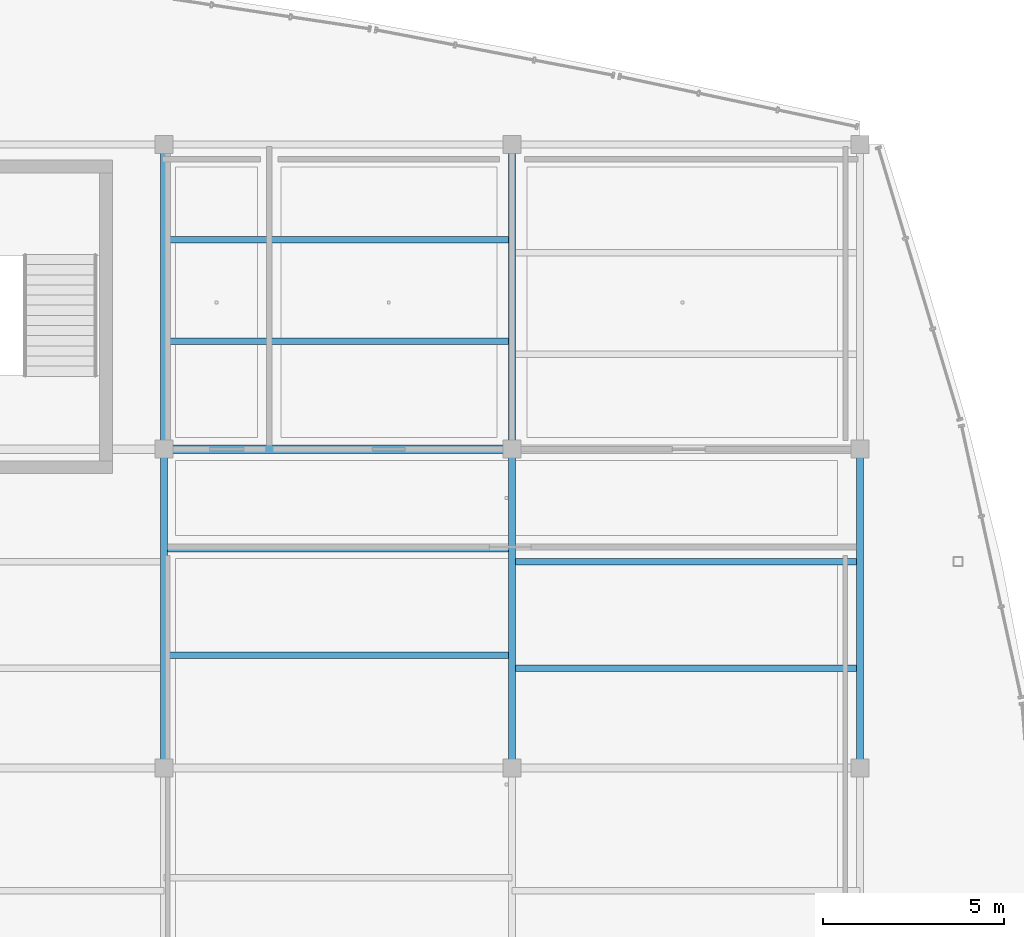
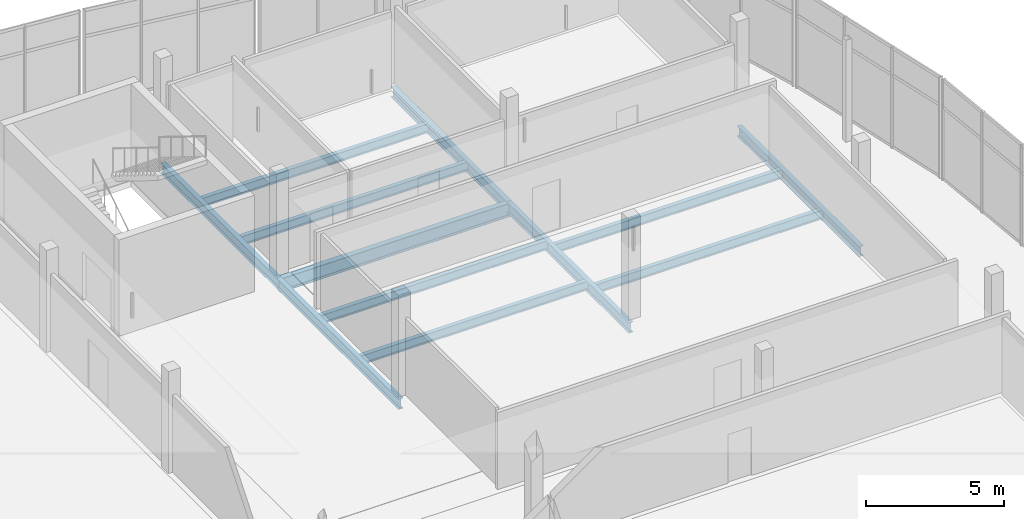
# One storey, part 74 of 114: 12 beams.
"""IFC4 building model written with IfcOpenShell, lengths in metres."""

from ifc_helpers import new_model, si_unit, direction, frame, origin, origin_2d, place, context, subcontext, project, spatial, i_section, extrude, material, material_profile, profile_set, type_object, element, save


model = new_model("IFC4")

# Units and contexts
model_context = context("Model", 3, precision=1e-05, world=origin(), true_north=direction((0.0, 1.0)))
body_context = subcontext(model_context, "Body", "Model", "MODEL_VIEW")
ifc_project = project(units=[si_unit("LENGTHUNIT", "METRE"), si_unit("AREAUNIT", "SQUARE_METRE"), si_unit("VOLUMEUNIT", "CUBIC_METRE"), si_unit("PLANEANGLEUNIT", "RADIAN"), si_unit("MASSUNIT", "GRAM", prefix="KILO")], contexts=[model_context])

# Site, building, storey
site_placement = place(None, origin())
site = spatial("IfcSite", under=ifc_project, at=site_placement, CompositionType="ELEMENT")
building_placement = place(site_placement, origin())
building = spatial("IfcBuilding", under=site, at=building_placement, Name="Chalmorin Arch Market", CompositionType="ELEMENT")
storey_placement = place(building_placement, frame((0.0, 0.0, 9.60009765625)))
storey = spatial("IfcBuildingStorey", under=building, at=storey_placement, Name="L02", CompositionType="ELEMENT", Elevation=9.60009765625)

# Beams
ifc_material = material(Name="Steel A992 Grade 50", Category="steel")
ifc_material_profile_1 = material_profile(ifc_material, i_section(OverallWidth=0.193115234375, OverallDepth=0.466064453125, WebThickness=0.011474609375, FlangeThickness=0.01904296875, FilletRadius=0.02001953125, at=origin_2d()), Name="W18X65")
ifc_profile_set_1 = profile_set([ifc_material_profile_1], Name="Steel A992 Grade 50")
beam_type_1 = type_object("IfcBeamType", Name="FloorSteelBeam-W18X65", PredefinedType="BEAM", material=ifc_profile_set_1)
beam_1_placement = place(storey_placement, frame((96.0, 100.800048828125, -0.51513671875), z_axis=(0.0, 1.0, 0.0), x_axis=(-1.0, 0.0, 0.0)))
element("IfcBeam", 1, at=beam_1_placement, inside=storey, type_object=beam_type_1, Name="BM-W18A-1276", PredefinedType="BEAM", context=body_context, shape_type="SweptSolid", body=[
    extrude(i_section(OverallWidth=0.193115234375, OverallDepth=0.466064453125, WebThickness=0.011474609375, FlangeThickness=0.01904296875, FilletRadius=0.02001953125, at=origin_2d()), origin(), (0.0, 0.0, 1.0), 8.800048828125),
])
beam_2_placement = place(storey_placement, frame((96.0, 109.60009765625, -0.51513671875), z_axis=(0.0, 1.0, 0.0), x_axis=(-1.0, 0.0, 0.0)))
element("IfcBeam", 2, at=beam_2_placement, inside=storey, type_object=beam_type_1, Name="BM-W18A-1278", PredefinedType="BEAM", context=body_context, shape_type="SweptSolid", body=[
    extrude(i_section(OverallWidth=0.193115234375, OverallDepth=0.466064453125, WebThickness=0.011474609375, FlangeThickness=0.01904296875, FilletRadius=0.02001953125, at=origin_2d()), origin(), (0.0, 0.0, 1.0), 8.39990234375),
])
beam_3_placement = place(storey_placement, frame((105.60009765625, 100.800048828125, -0.51513671875), z_axis=(0.0, 1.0, 0.0), x_axis=(-1.0, 0.0, 0.0)))
element("IfcBeam", 3, at=beam_3_placement, inside=storey, type_object=beam_type_1, Name="BM-W18A-1287", PredefinedType="BEAM", context=body_context, shape_type="SweptSolid", body=[
    extrude(i_section(OverallWidth=0.193115234375, OverallDepth=0.466064453125, WebThickness=0.011474609375, FlangeThickness=0.01904296875, FilletRadius=0.02001953125, at=origin_2d()), origin(), (0.0, 0.0, 1.0), 8.800048828125),
])
beam_4_placement = place(storey_placement, frame((105.60009765625, 109.60009765625, -0.51513671875), z_axis=(0.0, 1.0, 0.0), x_axis=(-1.0, 0.0, 0.0)))
element("IfcBeam", 4, at=beam_4_placement, inside=storey, type_object=beam_type_1, Name="BM-W18A-1289", PredefinedType="BEAM", context=body_context, shape_type="SweptSolid", body=[
    extrude(i_section(OverallWidth=0.193115234375, OverallDepth=0.466064453125, WebThickness=0.011474609375, FlangeThickness=0.01904296875, FilletRadius=0.02001953125, at=origin_2d()), origin(), (0.0, 0.0, 1.0), 8.39990234375),
])
ifc_material_profile_2 = material_profile(ifc_material, i_section(OverallWidth=0.19091796875, OverallDepth=0.45703125, WebThickness=0.009033203125, FlangeThickness=0.014404296875, FilletRadius=0.02001953125, at=origin_2d()), Name="W18X50")
ifc_profile_set_2 = profile_set([ifc_material_profile_2], Name="Steel A992 Grade 50")
beam_type_2 = type_object("IfcBeamType", Name="PerimeterSpandrelBeam-W18X50", PredefinedType="SPANDREL", material=ifc_profile_set_2)
beam_5_placement = place(storey_placement, frame((115.199951171875, 100.800048828125, -0.510498046875), z_axis=(0.0, 1.0, 0.0), x_axis=(-1.0, 0.0, 0.0)))
element("IfcBeam", 5, at=beam_5_placement, inside=storey, type_object=beam_type_2, Name="SP-W18-1298", PredefinedType="SPANDREL", context=body_context, shape_type="SweptSolid", body=[
    extrude(i_section(OverallWidth=0.19091796875, OverallDepth=0.45703125, WebThickness=0.009033203125, FlangeThickness=0.014404296875, FilletRadius=0.02001953125, at=origin_2d()), origin(), (0.0, 0.0, 1.0), 8.800048828125),
])
ifc_material_profile_3 = material_profile(ifc_material, i_section(OverallWidth=0.22802734375, OverallDepth=0.60791015625, WebThickness=0.01123046875, FlangeThickness=0.017333984375, FilletRadius=0.02392578125, at=origin_2d()), Name="W24X76")
ifc_profile_set_3 = profile_set([ifc_material_profile_3], Name="Steel A992 Grade 50")
beam_type_3 = type_object("IfcBeamType", Name="PrimarySteelGirder-W24X76", PredefinedType="BEAM", material=ifc_profile_set_3)
beam_6_placement = place(storey_placement, frame((96.0, 109.60009765625, -0.586181640625), z_axis=(1.0, 0.0, 0.0), x_axis=(0.0, 1.0, 0.0)))
element("IfcBeam", 6, at=beam_6_placement, inside=storey, type_object=beam_type_3, Name="BG-W24B-1286", PredefinedType="BEAM", context=body_context, shape_type="SweptSolid", body=[
    extrude(i_section(OverallWidth=0.22802734375, OverallDepth=0.60791015625, WebThickness=0.01123046875, FlangeThickness=0.017333984375, FilletRadius=0.02392578125, at=origin_2d()), origin(), (0.0, 0.0, 1.0), 9.60009765625),
])
ifc_material_profile_4 = material_profile(ifc_material, i_section(OverallWidth=0.177978515625, OverallDepth=0.403076171875, WebThickness=0.007568359375, FlangeThickness=0.010986328125, FilletRadius=0.01806640625, at=origin_2d()), Name="W16X36")
ifc_profile_set_4 = profile_set([ifc_material_profile_4], Name="Steel A992 Grade 50")
beam_type_4 = type_object("IfcBeamType", Name="SecondaryFloorJoist-W16X36", PredefinedType="JOIST", material=ifc_profile_set_4)
for number, where, z_axis, x_axis, name in (
    (7, (96.0, 103.913330078125, -0.483642578125), (1.0, 0.0, 0.0), (0.0, 1.0, 0.0), "BJ-W16B-1349"),
    (8, (96.0, 106.8466796875, -0.483642578125), (1.0, 0.0, 0.0), (0.0, 1.0, 0.0), "BJ-W16B-1350"),
    (9, (96.0, 112.580078125, -0.483642578125), (1.0, 0.0, 0.0), (0.0, 1.0, 0.0), "BJ-W16B-1351"),
    (10, (96.0, 115.3798828125, -0.483642578125), (1.0, 0.0, 0.0), (0.0, 1.0, 0.0), "BJ-W16B-1352"),
):
    element("IfcBeam", number, at=place(storey_placement, frame(where, z_axis=z_axis, x_axis=x_axis)), inside=storey, type_object=beam_type_4, Name=name, PredefinedType="JOIST", context=body_context, shape_type="SweptSolid", body=[
        extrude(i_section(OverallWidth=0.177978515625, OverallDepth=0.403076171875, WebThickness=0.007568359375, FlangeThickness=0.010986328125, FilletRadius=0.01806640625, at=origin_2d()), origin(), (0.0, 0.0, 1.0), 9.60009765625),
    ])
for number, where, z_axis, x_axis, name in (
    (11, (105.60009765625, 103.55322265625, -0.483642578125), (1.0, 0.0, 0.0), (0.0, 1.0, 0.0), "BJ-W16B-1359"),
    (12, (105.60009765625, 106.48681640625, -0.483642578125), (1.0, 0.0, 0.0), (0.0, 1.0, 0.0), "BJ-W16B-1360"),
):
    element("IfcBeam", number, at=place(storey_placement, frame(where, z_axis=z_axis, x_axis=x_axis)), inside=storey, type_object=beam_type_4, Name=name, PredefinedType="JOIST", context=body_context, shape_type="SweptSolid", body=[
        extrude(i_section(OverallWidth=0.177978515625, OverallDepth=0.403076171875, WebThickness=0.007568359375, FlangeThickness=0.010986328125, FilletRadius=0.01806640625, at=origin_2d()), origin(), (0.0, 0.0, 1.0), 9.599853515625),
    ])

save(model, "model.ifc")
